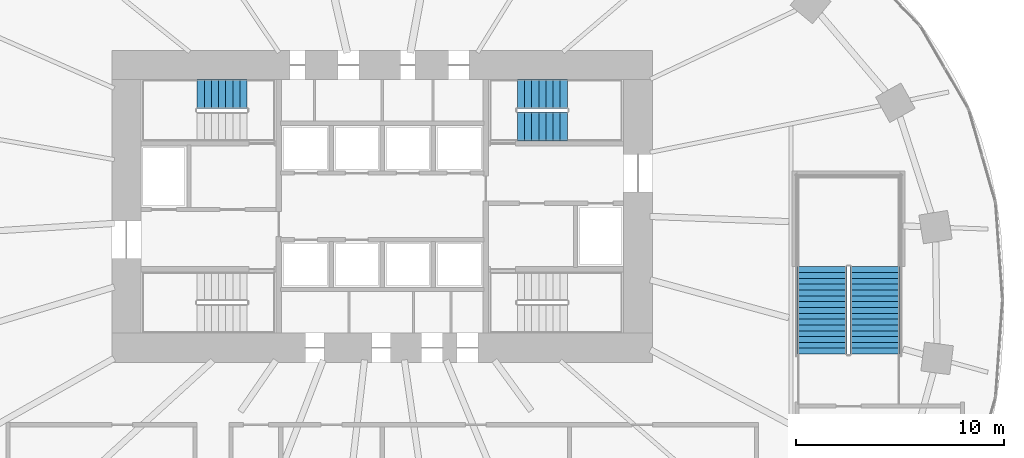
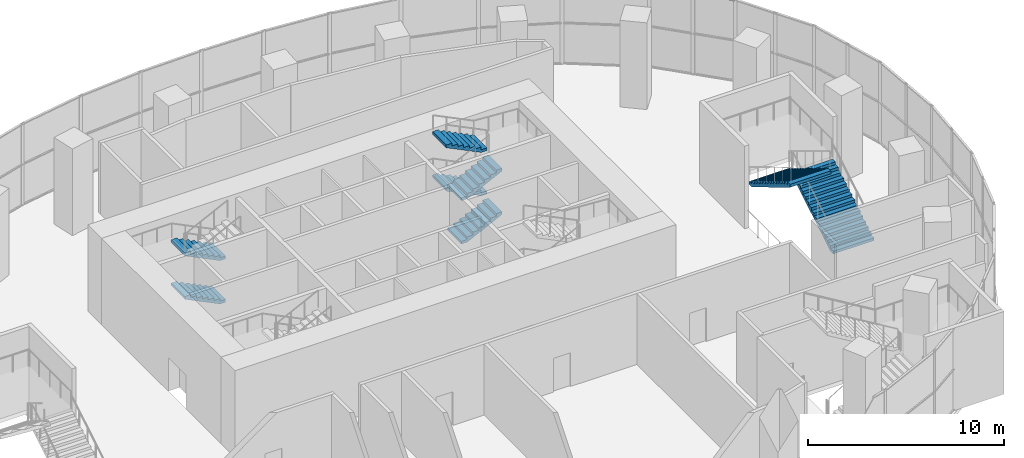
# One storey, part 15 of 20: 8 stair flights, 3 elements without a shape of their own.
"""IFC4 building model written with IfcOpenShell, lengths in metres."""

from ifc_helpers import new_model, si_unit, direction, frame, origin, place, context, subcontext, project, spatial, polyline, outline, extrude, material, type_object, element, aggregate, save


model = new_model("IFC4")

# Units and contexts
model_context = context("Model", 3, precision=1e-05, world=origin(), true_north=direction((0.0, 1.0)))
body_context = subcontext(model_context, "Body", "Model", "MODEL_VIEW")
ifc_project = project(units=[si_unit("LENGTHUNIT", "METRE"), si_unit("AREAUNIT", "SQUARE_METRE"), si_unit("VOLUMEUNIT", "CUBIC_METRE"), si_unit("PLANEANGLEUNIT", "RADIAN"), si_unit("MASSUNIT", "GRAM", prefix="KILO")], contexts=[model_context])

# Site, building, storey
site_placement = place(None, origin())
site = spatial("IfcSite", under=ifc_project, at=site_placement, CompositionType="ELEMENT")
building_placement = place(site_placement, origin())
building = spatial("IfcBuilding", under=site, at=building_placement, Name="Rubra Terraces Tower", CompositionType="ELEMENT")
storey_placement = place(building_placement, frame((0.0, 0.0, 22.800048828125)))
storey = spatial("IfcBuildingStorey", under=building, at=storey_placement, Name="L03", CompositionType="ELEMENT", Elevation=22.800048828125)

# Stair, stair flights
ifc_material_1 = material(Name="Concrete C40", Category="concrete")
stair_type_1 = type_object("IfcStairType", Name="Core stair 1400", PredefinedType="HALF_TURN_STAIR", material=ifc_material_1)
stair_1_placement = place(storey_placement, origin())
stair_1 = element("IfcStair", 1, at=stair_1_placement, inside=storey, type_object=stair_type_1, Name="L03 Exit stair S2", PredefinedType="HALF_TURN_STAIR")
stair_flight_type_1 = type_object("IfcStairFlightType", Name="Core stair flight 1400", PredefinedType="STRAIGHT", material=ifc_material_1)
stair_flight_1_placement = place(storey_placement, frame((-6.5, 9.89990234375, 0.0), z_axis=(0.0, 0.0, 1.0), x_axis=(-1.0, 0.0, 0.0)))
stair_flight_1 = element("IfcStairFlight", 2, at=stair_flight_1_placement, type_object=stair_flight_type_1, Name="S2 flight 1", NumberOfRisers=8, NumberOfTreads=7, PredefinedType="STRAIGHT", RiserHeight=0.16875, TreadLength=0.342857143, context=body_context, shape_type="SweptSolid", body=[
    extrude(outline(polyline([(0.0, 0.0), (0.0, 0.168701171875), (0.3427734375, 0.168701171875), (0.3427734375, 0.33740234375), (0.685791015625, 0.33740234375), (0.685791015625, 0.50634765625), (1.028564453125, 0.50634765625), (1.028564453125, 0.675048828125), (1.371337890625, 0.675048828125), (1.371337890625, 0.84375), (1.71435546875, 0.84375), (1.71435546875, 1.012451171875), (2.05712890625, 1.012451171875), (2.05712890625, 1.18115234375), (2.39990234375, 1.18115234375), (2.39990234375, 1.35009765625), (2.39990234375, 1.01416015625), (0.33935546875, 0.0), (0.0, 0.0)])), frame((0.0, 0.699951171875, 0.0), z_axis=(0.0, -1.0, 0.0), x_axis=(1.0, 0.0, 0.0)), (0.0, 0.0, 1.0), 1.39990234375),
])
stair_flight_2_placement = place(storey_placement, frame((-6.5, 9.89990234375, 2.699951171875), z_axis=(0.0, 0.0, 1.0), x_axis=(-1.0, 0.0, 0.0)))
stair_flight_2 = element("IfcStairFlight", 3, at=stair_flight_2_placement, type_object=stair_flight_type_1, Name="S2 flight 3", NumberOfRisers=8, NumberOfTreads=7, PredefinedType="STRAIGHT", RiserHeight=0.16875, TreadLength=0.342857143, context=body_context, shape_type="SweptSolid", body=[
    extrude(outline(polyline([(0.0, 0.0), (0.0, 0.168701171875), (0.3427734375, 0.168701171875), (0.3427734375, 0.33740234375), (0.685791015625, 0.33740234375), (0.685791015625, 0.50634765625), (1.028564453125, 0.50634765625), (1.028564453125, 0.675048828125), (1.371337890625, 0.675048828125), (1.371337890625, 0.84375), (1.71435546875, 0.84375), (1.71435546875, 1.012451171875), (2.05712890625, 1.012451171875), (2.05712890625, 1.18115234375), (2.39990234375, 1.18115234375), (2.39990234375, 1.35009765625), (2.39990234375, 1.01416015625), (0.33935546875, 0.0), (0.0, 0.0)])), frame((0.0, 0.699951171875, 0.0), z_axis=(0.0, -1.0, 0.0), x_axis=(1.0, 0.0, 0.0)), (0.0, 0.0, 1.0), 1.39990234375),
])
aggregate(stair_1, [stair_flight_1, stair_flight_2])

stair_2_placement = place(storey_placement, origin())
stair_2 = element("IfcStair", 4, at=stair_2_placement, inside=storey, type_object=stair_type_1, Name="L03 Exit stair S3", PredefinedType="HALF_TURN_STAIR")
stair_flight_3_placement = place(storey_placement, frame((6.5, 8.35009765625, 0.0), z_axis=(0.0, 0.0, 1.0), x_axis=(1.0, 0.0, 0.0)))
stair_flight_3 = element("IfcStairFlight", 5, at=stair_flight_3_placement, type_object=stair_flight_type_1, Name="S3 flight 1", NumberOfRisers=8, NumberOfTreads=7, PredefinedType="STRAIGHT", RiserHeight=0.16875, TreadLength=0.342857143, context=body_context, shape_type="SweptSolid", body=[
    extrude(outline(polyline([(0.0, 0.0), (0.0, 0.168701171875), (0.3427734375, 0.168701171875), (0.3427734375, 0.33740234375), (0.685791015625, 0.33740234375), (0.685791015625, 0.50634765625), (1.028564453125, 0.50634765625), (1.028564453125, 0.675048828125), (1.371337890625, 0.675048828125), (1.371337890625, 0.84375), (1.71435546875, 0.84375), (1.71435546875, 1.012451171875), (2.05712890625, 1.012451171875), (2.05712890625, 1.18115234375), (2.39990234375, 1.18115234375), (2.39990234375, 1.35009765625), (2.39990234375, 1.01416015625), (0.33935546875, 0.0), (0.0, 0.0)])), frame((0.0, 0.699951171875, 0.0), z_axis=(0.0, -1.0, 0.0), x_axis=(1.0, 0.0, 0.0)), (0.0, 0.0, 1.0), 1.39990234375),
])
stair_flight_4_placement = place(storey_placement, frame((8.89990234375, 9.89990234375, 1.349853515625), z_axis=(0.0, 0.0, 1.0), x_axis=(-1.0, 0.0, 0.0)))
stair_flight_4 = element("IfcStairFlight", 6, at=stair_flight_4_placement, type_object=stair_flight_type_1, Name="S3 flight 2", NumberOfRisers=8, NumberOfTreads=7, PredefinedType="STRAIGHT", RiserHeight=0.16875, TreadLength=0.342857143, context=body_context, shape_type="SweptSolid", body=[
    extrude(outline(polyline([(0.0, 0.0), (0.0, 0.168701171875), (0.3427734375, 0.168701171875), (0.3427734375, 0.33740234375), (0.685791015625, 0.33740234375), (0.685791015625, 0.50634765625), (1.028564453125, 0.50634765625), (1.028564453125, 0.675048828125), (1.371337890625, 0.675048828125), (1.371337890625, 0.84375), (1.71435546875, 0.84375), (1.71435546875, 1.012451171875), (2.05712890625, 1.012451171875), (2.05712890625, 1.18115234375), (2.39990234375, 1.18115234375), (2.39990234375, 1.35009765625), (2.39990234375, 1.01416015625), (0.33935546875, 0.0), (0.0, 0.0)])), frame((0.0, 0.699951171875, 0.0), z_axis=(0.0, -1.0, 0.0), x_axis=(1.0, 0.0, 0.0)), (0.0, 0.0, 1.0), 1.39990234375),
])
stair_flight_5_placement = place(storey_placement, frame((6.5, 8.35009765625, 2.699951171875), z_axis=(0.0, 0.0, 1.0), x_axis=(1.0, 0.0, 0.0)))
stair_flight_5 = element("IfcStairFlight", 7, at=stair_flight_5_placement, type_object=stair_flight_type_1, Name="S3 flight 3", NumberOfRisers=8, NumberOfTreads=7, PredefinedType="STRAIGHT", RiserHeight=0.16875, TreadLength=0.342857143, context=body_context, shape_type="SweptSolid", body=[
    extrude(outline(polyline([(0.0, 0.0), (0.0, 0.168701171875), (0.3427734375, 0.168701171875), (0.3427734375, 0.33740234375), (0.685791015625, 0.33740234375), (0.685791015625, 0.50634765625), (1.028564453125, 0.50634765625), (1.028564453125, 0.675048828125), (1.371337890625, 0.675048828125), (1.371337890625, 0.84375), (1.71435546875, 0.84375), (1.71435546875, 1.012451171875), (2.05712890625, 1.012451171875), (2.05712890625, 1.18115234375), (2.39990234375, 1.18115234375), (2.39990234375, 1.35009765625), (2.39990234375, 1.01416015625), (0.33935546875, 0.0), (0.0, 0.0)])), frame((0.0, 0.699951171875, 0.0), z_axis=(0.0, -1.0, 0.0), x_axis=(1.0, 0.0, 0.0)), (0.0, 0.0, 1.0), 1.39990234375),
])
stair_flight_6_placement = place(storey_placement, frame((8.89990234375, 9.89990234375, 4.050048828125), z_axis=(0.0, 0.0, 1.0), x_axis=(-1.0, 0.0, 0.0)))
stair_flight_6 = element("IfcStairFlight", 8, at=stair_flight_6_placement, type_object=stair_flight_type_1, Name="S3 flight 4", NumberOfRisers=8, NumberOfTreads=7, PredefinedType="STRAIGHT", RiserHeight=0.16875, TreadLength=0.342857143, context=body_context, shape_type="SweptSolid", body=[
    extrude(outline(polyline([(0.0, 0.0), (0.0, 0.168701171875), (0.3427734375, 0.168701171875), (0.3427734375, 0.33740234375), (0.685791015625, 0.33740234375), (0.685791015625, 0.50634765625), (1.028564453125, 0.50634765625), (1.028564453125, 0.675048828125), (1.371337890625, 0.675048828125), (1.371337890625, 0.84375), (1.71435546875, 0.84375), (1.71435546875, 1.012451171875), (2.05712890625, 1.012451171875), (2.05712890625, 1.18115234375), (2.39990234375, 1.18115234375), (2.39990234375, 1.35009765625), (2.39990234375, 1.01416015625), (0.33935546875, 0.0), (0.0, 0.0)])), frame((0.0, 0.699951171875, 0.0), z_axis=(0.0, -1.0, 0.0), x_axis=(1.0, 0.0, 0.0)), (0.0, 0.0, 1.0), 1.39990234375),
])
aggregate(stair_2, [stair_flight_3, stair_flight_4, stair_flight_5, stair_flight_6])

ifc_material_2 = material(Name="Concrete C40/50", Category="concrete")
stair_type_2 = type_object("IfcStairType", Name="Public stair", PredefinedType="HALF_TURN_STAIR", material=ifc_material_2)
stair_3_placement = place(storey_placement, origin())
stair_3 = element("IfcStair", 9, at=stair_3_placement, inside=storey, type_object=stair_type_2, Name="L03 public stair PS2", PredefinedType="HALF_TURN_STAIR")
stair_flight_type_2 = type_object("IfcStairFlightType", Name="Public stair flight 2400", PredefinedType="STRAIGHT", material=ifc_material_2)
stair_flight_7_placement = place(storey_placement, frame((23.699951171875, -2.60009765625, 0.0), z_axis=(0.0, 0.0, 1.0), x_axis=(0.0, 1.0, 0.0)))
stair_flight_7 = element("IfcStairFlight", 10, at=stair_flight_7_placement, type_object=stair_flight_type_2, Name="PS2 flight 1", NumberOfRisers=16, NumberOfTreads=15, PredefinedType="STRAIGHT", RiserHeight=0.16875, TreadLength=0.28, context=body_context, shape_type="SweptSolid", body=[
    extrude(outline(polyline([(0.0, 0.0), (0.0, 0.168701171875), (0.280029296875, 0.168701171875), (0.280029296875, 0.33740234375), (0.56005859375, 0.33740234375), (0.56005859375, 0.50634765625), (0.840087890625, 0.50634765625), (0.840087890625, 0.675048828125), (1.1201171875, 0.675048828125), (1.1201171875, 0.84375), (1.39990234375, 0.84375), (1.39990234375, 1.012451171875), (1.679931640625, 1.012451171875), (1.679931640625, 1.18115234375), (1.9599609375, 1.18115234375), (1.9599609375, 1.35009765625), (2.239990234375, 1.35009765625), (2.239990234375, 1.518798828125), (2.52001953125, 1.518798828125), (2.52001953125, 1.6875), (2.800048828125, 1.6875), (2.800048828125, 1.856201171875), (3.080078125, 1.856201171875), (3.080078125, 2.02490234375), (3.360107421875, 2.02490234375), (3.360107421875, 2.19384765625), (3.639892578125, 2.19384765625), (3.639892578125, 2.362548828125), (3.919921875, 2.362548828125), (3.919921875, 2.53125), (4.199951171875, 2.53125), (4.199951171875, 2.699951171875), (4.199951171875, 2.344482421875), (0.309814453125, 0.0), (0.0, 0.0)])), frame((0.0, 1.199951171875, 0.0), z_axis=(0.0, -1.0, 0.0), x_axis=(1.0, 0.0, 0.0)), (0.0, 0.0, 1.0), 2.39990234375),
])
stair_flight_8_placement = place(storey_placement, frame((21.14990234375, 1.60009765625, 2.699951171875), z_axis=(0.0, 0.0, 1.0), x_axis=(0.0, -1.0, 0.0)))
stair_flight_8 = element("IfcStairFlight", 11, at=stair_flight_8_placement, type_object=stair_flight_type_2, Name="PS2 flight 2", NumberOfRisers=16, NumberOfTreads=15, PredefinedType="STRAIGHT", RiserHeight=0.16875, TreadLength=0.28, context=body_context, shape_type="SweptSolid", body=[
    extrude(outline(polyline([(0.0, 0.0), (0.0, 0.168701171875), (0.280029296875, 0.168701171875), (0.280029296875, 0.33740234375), (0.56005859375, 0.33740234375), (0.56005859375, 0.50634765625), (0.840087890625, 0.50634765625), (0.840087890625, 0.675048828125), (1.1201171875, 0.675048828125), (1.1201171875, 0.84375), (1.39990234375, 0.84375), (1.39990234375, 1.012451171875), (1.679931640625, 1.012451171875), (1.679931640625, 1.18115234375), (1.9599609375, 1.18115234375), (1.9599609375, 1.35009765625), (2.239990234375, 1.35009765625), (2.239990234375, 1.518798828125), (2.52001953125, 1.518798828125), (2.52001953125, 1.6875), (2.800048828125, 1.6875), (2.800048828125, 1.856201171875), (3.080078125, 1.856201171875), (3.080078125, 2.02490234375), (3.360107421875, 2.02490234375), (3.360107421875, 2.19384765625), (3.639892578125, 2.19384765625), (3.639892578125, 2.362548828125), (3.919921875, 2.362548828125), (3.919921875, 2.53125), (4.199951171875, 2.53125), (4.199951171875, 2.699951171875), (4.199951171875, 2.344482421875), (0.309814453125, 0.0), (0.0, 0.0)])), frame((0.0, 1.199951171875, 0.0), z_axis=(0.0, -1.0, 0.0), x_axis=(1.0, 0.0, 0.0)), (0.0, 0.0, 1.0), 2.39990234375),
])
aggregate(stair_3, [stair_flight_7, stair_flight_8])

save(model, "model.ifc")
